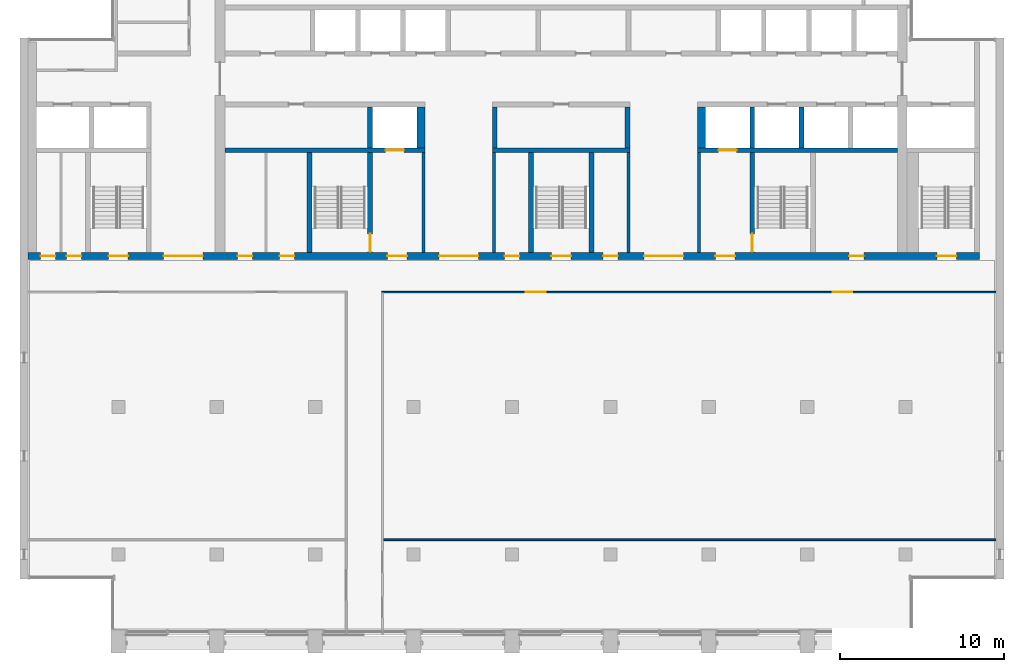
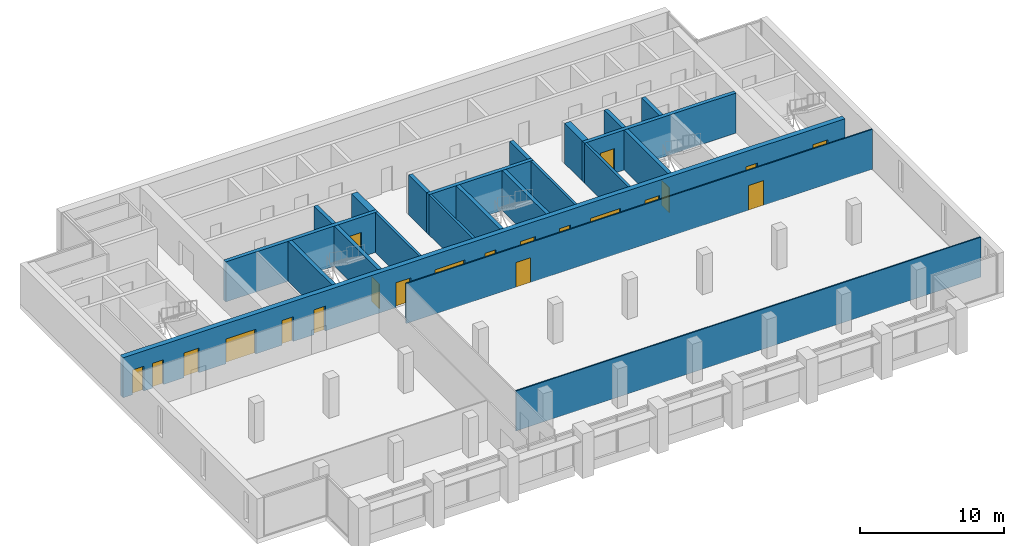
# One storey, part 8 of 14: 22 walls, 21 doors, 21 openings.
"""IFC4 building model written with IfcOpenShell, lengths in metres."""

from ifc_helpers import new_model, si_unit, direction, frame, frame_2d, origin, place, context, subcontext, project, spatial, rectangle, extrude, material, layer, layer_set, type_object, element, fill, save


model = new_model("IFC4")

# Units and contexts
model_context = context("Model", 3, precision=1e-05, world=origin(), true_north=direction((0.0, 1.0)))
body_context = subcontext(model_context, "Body", "Model", "MODEL_VIEW")
ifc_project = project(units=[si_unit("LENGTHUNIT", "METRE"), si_unit("AREAUNIT", "SQUARE_METRE"), si_unit("VOLUMEUNIT", "CUBIC_METRE"), si_unit("PLANEANGLEUNIT", "RADIAN"), si_unit("MASSUNIT", "GRAM", prefix="KILO")], contexts=[model_context])

# Site, building, storey
site_placement = place(None, origin())
site = spatial("IfcSite", under=ifc_project, at=site_placement, CompositionType="ELEMENT")
building_placement = place(site_placement, origin())
building = spatial("IfcBuilding", under=site, at=building_placement, Name="Calvaro Tower", CompositionType="ELEMENT")
storey_placement = place(building_placement, frame((0.0, 0.0, 258.35009765625)))
storey = spatial("IfcBuildingStorey", under=building, at=storey_placement, Name="L65", CompositionType="ELEMENT", Elevation=258.35009765625)

# Walls
ifc_material_1 = material(Name="Blockwork partition", Category="masonry")
ifc_layer_1 = layer(ifc_material_1, 0.199951171875)
ifc_layer_set_1 = layer_set([ifc_layer_1], Name="Blockwork partition")
wall_type_1 = type_object("IfcWallType", Name="Core partition 200 REI 120", PredefinedType="PARTITIONING", material=ifc_layer_set_1)
for number, where, z_axis, x_axis, name in (
    (1, (30.60009765625, 28.39990234375, 0.0), (0.0, 0.0, 1.0), (0.0, 1.0, 0.0), "Core partition"),
    (2, (34.89990234375, 28.39990234375, 0.0), (0.0, 0.0, 1.0), (0.0, 1.0, 0.0), "Core partition"),
    (3, (43.10009765625, 28.39990234375, 0.0), (0.0, 0.0, 1.0), (0.0, 1.0, 0.0), "Core partition"),
    (4, (47.39990234375, 28.39990234375, 0.0), (0.0, 0.0, 1.0), (0.0, 1.0, 0.0), "Core partition"),
):
    element("IfcWall", number, at=place(storey_placement, frame(where, z_axis=z_axis, x_axis=x_axis)), inside=storey, type_object=wall_type_1, Name=name, PredefinedType="PARTITIONING", context=body_context, shape_type="SweptSolid", body=[
        extrude(rectangle(XDim=6.10009765625, YDim=0.199951171875, at=frame_2d((3.050048828125, 0.0))), origin(), (0.0, 0.0, 1.0), 3.39990234375),
    ])
ifc_material_2 = material(Name="Concrete C40/50", Category="concrete")
ifc_layer_2 = layer(ifc_material_2, 0.300048828125)
ifc_layer_set_2 = layer_set([ifc_layer_2], Name="Concrete C40/50")
wall_type_2 = type_object("IfcWallType", Name="Core wall C40/50 300", PredefinedType="SHEAR", material=ifc_layer_set_2)
wall_1_placement = place(storey_placement, frame((23.64990234375, 28.39990234375, 0.0), z_axis=(0.0, 0.0, 1.0), x_axis=(0.0, 1.0, 0.0)))
element("IfcWall", 5, at=wall_1_placement, inside=storey, type_object=wall_type_2, Name="Core wall, stair enclosure", PredefinedType="SHEAR", context=body_context, shape_type="SweptSolid", body=[
    extrude(rectangle(XDim=6.10009765625, YDim=0.300048828125, at=frame_2d((3.050048828125, 0.0))), origin(), (0.0, 0.0, 1.0), 3.39990234375),
])

# Wall, opening, door
wall_2_placement = place(storey_placement, frame((27.35009765625, 28.39990234375, 0.0), z_axis=(0.0, 0.0, 1.0), x_axis=(0.0, 1.0, 0.0)))
wall_2 = element("IfcWall", 6, at=wall_2_placement, inside=storey, type_object=wall_type_2, Name="Core wall, stair enclosure", PredefinedType="SHEAR", context=body_context, shape_type="SweptSolid", body=[
    extrude(rectangle(XDim=6.10009765625, YDim=0.300048828125, at=frame_2d((3.050048828125, 0.0))), origin(), (0.0, 0.0, 1.0), 3.39990234375),
])
opening_1_placement = place(wall_2_placement, frame((0.050048828125, 0.0, 0.0)))
opening_1 = element("IfcOpeningElement", 7, at=opening_1_placement, cuts=wall_2, Name="Opening FD11D", PredefinedType="OPENING", context=body_context, shape_type="SweptSolid", body=[
    extrude(rectangle(XDim=1.10009765625, YDim=2.10009765625, at=frame_2d((0.550048828125, 1.050048828125))), frame((0.0, 0.159912109375, 0.0), z_axis=(0.0, -1.0, 0.0), x_axis=(1.0, 0.0, 0.0)), (0.0, 0.0, 1.0), 0.320068359375),
])
ifc_material_3 = material(Name="Steel door set", Category="steel")
door_type_1 = type_object("IfcDoorType", Name="Fire door 1100 FD30S", OperationType="SINGLE_SWING_LEFT", PredefinedType="DOOR", material=ifc_material_3)
door_1_placement = place(opening_1_placement, origin())
door_1 = element("IfcDoor", 8, at=door_1_placement, inside=storey, type_object=door_type_1, Name="Fire door", OperationType="SINGLE_SWING_LEFT", OverallHeight=2.10009765625, OverallWidth=1.10009765625, PredefinedType="DOOR", context=body_context, shape_type="SweptSolid", body=[
    extrude(rectangle(XDim=1.10009765625, YDim=2.10009765625, at=frame_2d((0.550048828125, 1.050048828125))), frame((0.0, 0.02490234375, 0.0), z_axis=(0.0, -1.0, 0.0), x_axis=(1.0, 0.0, 0.0)), (0.0, 0.0, 1.0), 0.050048828125),
])
fill(opening_1, door_1)

# Walls
for number, where, z_axis, x_axis, name in (
    (9, (37.14990234375, 28.39990234375, 0.0), (0.0, 0.0, 1.0), (0.0, 1.0, 0.0), "Core wall, stair enclosure"),
    (10, (40.85009765625, 28.39990234375, 0.0), (0.0, 0.0, 1.0), (0.0, 1.0, 0.0), "Core wall, stair enclosure"),
):
    element("IfcWall", number, at=place(storey_placement, frame(where, z_axis=z_axis, x_axis=x_axis)), inside=storey, type_object=wall_type_2, Name=name, PredefinedType="SHEAR", context=body_context, shape_type="SweptSolid", body=[
        extrude(rectangle(XDim=6.10009765625, YDim=0.300048828125, at=frame_2d((3.050048828125, 0.0))), origin(), (0.0, 0.0, 1.0), 3.39990234375),
    ])

# Wall, opening, door
wall_3_placement = place(storey_placement, frame((50.64990234375, 34.5, 0.0), z_axis=(0.0, 0.0, 1.0), x_axis=(0.0, -1.0, 0.0)))
wall_3 = element("IfcWall", 11, at=wall_3_placement, inside=storey, type_object=wall_type_2, Name="Core wall, stair enclosure", PredefinedType="SHEAR", context=body_context, shape_type="SweptSolid", body=[
    extrude(rectangle(XDim=6.10009765625, YDim=0.300048828125, at=frame_2d((3.050048828125, 0.0))), origin(), (0.0, 0.0, 1.0), 3.39990234375),
])
opening_2_placement = place(wall_3_placement, frame((4.949951171875, 0.0, 0.0)))
opening_2 = element("IfcOpeningElement", 12, at=opening_2_placement, cuts=wall_3, Name="Opening FD11D", PredefinedType="OPENING", context=body_context, shape_type="SweptSolid", body=[
    extrude(rectangle(XDim=1.10009765625, YDim=2.10009765625, at=frame_2d((0.550048828125, 1.050048828125))), frame((0.0, 0.159912109375, 0.0), z_axis=(0.0, -1.0, 0.0), x_axis=(1.0, 0.0, 0.0)), (0.0, 0.0, 1.0), 0.320068359375),
])
door_2_placement = place(opening_2_placement, origin())
door_2 = element("IfcDoor", 13, at=door_2_placement, inside=storey, type_object=door_type_1, Name="Fire door", OperationType="SINGLE_SWING_RIGHT", OverallHeight=2.10009765625, OverallWidth=1.10009765625, PredefinedType="DOOR", context=body_context, shape_type="SweptSolid", body=[
    extrude(rectangle(XDim=1.10009765625, YDim=2.10009765625, at=frame_2d((0.550048828125, 1.050048828125))), frame((0.0, 0.02490234375, 0.0), z_axis=(0.0, -1.0, 0.0), x_axis=(1.0, 0.0, 0.0)), (0.0, 0.0, 1.0), 0.050048828125),
])
fill(opening_2, door_2)

wall_4_placement = place(storey_placement, frame((18.5, 34.64990234375, 0.0), z_axis=(0.0, 0.0, 1.0), x_axis=(1.0, 0.0, 0.0)))
wall_4 = element("IfcWall", 14, at=wall_4_placement, inside=storey, type_object=wall_type_2, Name="Core wall, lift shaft", PredefinedType="SHEAR", context=body_context, shape_type="SweptSolid", body=[
    extrude(rectangle(XDim=12.199951171875, YDim=0.300048828125, at=frame_2d((6.10009765625, 0.0))), origin(), (0.0, 0.0, 1.0), 3.39990234375),
])
opening_3_placement = place(wall_4_placement, frame((9.800048828125, 0.0, 0.0)))
opening_3 = element("IfcOpeningElement", 15, at=opening_3_placement, cuts=wall_4, Name="Opening FF1", PredefinedType="OPENING", context=body_context, shape_type="SweptSolid", body=[
    extrude(rectangle(XDim=1.10009765625, YDim=2.10009765625, at=frame_2d((0.550048828125, 1.050048828125))), frame((0.0, 0.159912109375, 0.0), z_axis=(0.0, -1.0, 0.0), x_axis=(1.0, 0.0, 0.0)), (0.0, 0.0, 1.0), 0.320068359375),
])
ifc_material_4 = material(Name="Stainless steel", Category="steel")
door_type_2 = type_object("IfcDoorType", Name="Landing door 1100 E 60", OperationType="SLIDING_TO_LEFT", PredefinedType="DOOR", material=ifc_material_4)
door_3_placement = place(opening_3_placement, origin())
door_3 = element("IfcDoor", 16, at=door_3_placement, inside=storey, type_object=door_type_2, Name="Landing door FF1", OperationType="SLIDING_TO_LEFT", OverallHeight=2.10009765625, OverallWidth=1.10009765625, PredefinedType="DOOR", context=body_context, shape_type="SweptSolid", body=[
    extrude(rectangle(XDim=1.10009765625, YDim=2.10009765625, at=frame_2d((0.550048828125, 1.050048828125))), frame((0.0, 0.02490234375, 0.0), z_axis=(0.0, -1.0, 0.0), x_axis=(1.0, 0.0, 0.0)), (0.0, 0.0, 1.0), 0.050048828125),
])
fill(opening_3, door_3)

# Wall
wall_5_placement = place(storey_placement, frame((34.800048828125, 34.64990234375, 0.0), z_axis=(0.0, 0.0, 1.0), x_axis=(1.0, 0.0, 0.0)))
element("IfcWall", 17, at=wall_5_placement, inside=storey, type_object=wall_type_2, Name="Core wall, lift shaft", PredefinedType="SHEAR", context=body_context, shape_type="SweptSolid", body=[
    extrude(rectangle(XDim=8.39990234375, YDim=0.300048828125, at=frame_2d((4.199951171875, 0.0))), origin(), (0.0, 0.0, 1.0), 3.39990234375),
])

# Wall, opening, door
wall_6_placement = place(storey_placement, frame((47.300048828125, 34.64990234375, 0.0), z_axis=(0.0, 0.0, 1.0), x_axis=(1.0, 0.0, 0.0)))
wall_6 = element("IfcWall", 18, at=wall_6_placement, inside=storey, type_object=wall_type_2, Name="Core wall, lift shaft", PredefinedType="SHEAR", context=body_context, shape_type="SweptSolid", body=[
    extrude(rectangle(XDim=12.199951171875, YDim=0.300048828125, at=frame_2d((6.10009765625, 0.0))), origin(), (0.0, 0.0, 1.0), 3.39990234375),
])
opening_4_placement = place(wall_6_placement, frame((1.300048828125, 0.0, 0.0)))
opening_4 = element("IfcOpeningElement", 19, at=opening_4_placement, cuts=wall_6, Name="Opening FF2", PredefinedType="OPENING", context=body_context, shape_type="SweptSolid", body=[
    extrude(rectangle(XDim=1.10009765625, YDim=2.10009765625, at=frame_2d((0.550048828125, 1.050048828125))), frame((0.0, 0.159912109375, 0.0), z_axis=(0.0, -1.0, 0.0), x_axis=(1.0, 0.0, 0.0)), (0.0, 0.0, 1.0), 0.320068359375),
])
door_4_placement = place(opening_4_placement, origin())
door_4 = element("IfcDoor", 20, at=door_4_placement, inside=storey, type_object=door_type_2, Name="Landing door FF2", OperationType="SLIDING_TO_LEFT", OverallHeight=2.10009765625, OverallWidth=1.10009765625, PredefinedType="DOOR", context=body_context, shape_type="SweptSolid", body=[
    extrude(rectangle(XDim=1.10009765625, YDim=2.10009765625, at=frame_2d((0.550048828125, 1.050048828125))), frame((0.0, 0.02490234375, 0.0), z_axis=(0.0, -1.0, 0.0), x_axis=(1.0, 0.0, 0.0)), (0.0, 0.0, 1.0), 0.050048828125),
])
fill(opening_4, door_4)

# Walls
for number, where, z_axis, x_axis, name in (
    (21, (27.35009765625, 34.800048828125, 0.0), (0.0, 0.0, 1.0), (0.0, 1.0, 0.0), "Core wall, lift shaft"),
    (22, (34.949951171875, 34.800048828125, 0.0), (0.0, 0.0, 1.0), (0.0, 1.0, 0.0), "Core wall, lift shaft"),
    (23, (43.050048828125, 34.800048828125, 0.0), (0.0, 0.0, 1.0), (0.0, 1.0, 0.0), "Core wall, lift shaft"),
    (24, (50.64990234375, 34.800048828125, 0.0), (0.0, 0.0, 1.0), (0.0, 1.0, 0.0), "Core wall, lift shaft"),
    (25, (53.64990234375, 34.800048828125, 0.0), (0.0, 0.0, 1.0), (0.0, 1.0, 0.0), "Core wall, lift shaft"),
):
    element("IfcWall", number, at=place(storey_placement, frame(where, z_axis=z_axis, x_axis=x_axis)), inside=storey, type_object=wall_type_2, Name=name, PredefinedType="SHEAR", context=body_context, shape_type="SweptSolid", body=[
        extrude(rectangle(XDim=2.5, YDim=0.300048828125, at=frame_2d((1.25, 0.0))), origin(), (0.0, 0.0, 1.0), 3.39990234375),
    ])

# Wall, openings, doors
ifc_material_5 = material(Name="Concrete C40/50", Category="concrete")
ifc_layer_3 = layer(ifc_material_5, 0.39990234375)
ifc_layer_set_3 = layer_set([ifc_layer_3], Name="Concrete C40/50")
wall_type_3 = type_object("IfcWallType", Name="Core wall C40/50 400", PredefinedType="SHEAR", material=ifc_layer_set_3)
wall_7_placement = place(storey_placement, frame((6.5, 28.199951171875, 0.0), z_axis=(0.0, 0.0, 1.0), x_axis=(1.0, 0.0, 0.0)))
wall_7 = element("IfcWall", 26, at=wall_7_placement, inside=storey, type_object=wall_type_3, Name="Core wall, front", PredefinedType="SHEAR", context=body_context, shape_type="SweptSolid", body=[
    extrude(rectangle(XDim=58.0, YDim=0.39990234375, at=frame_2d((29.0, 0.0))), origin(), (0.0, 0.0, 1.0), 3.39990234375),
])
opening_5_placement = place(wall_7_placement, frame((12.762451171875, 0.0, 0.0)))
opening_5 = element("IfcOpeningElement", 27, at=opening_5_placement, cuts=wall_7, Name="Opening RD9E", PredefinedType="OPENING", context=body_context, shape_type="SweptSolid", body=[
    extrude(rectangle(XDim=0.89990234375, YDim=2.10009765625, at=frame_2d((0.449951171875, 1.050048828125))), frame((0.0, 0.2099609375, 0.0), z_axis=(0.0, -1.0, 0.0), x_axis=(1.0, 0.0, 0.0)), (0.0, 0.0, 1.0), 0.419921875),
])
opening_6_placement = place(wall_7_placement, frame((15.33740234375, 0.0, 0.0)))
opening_6 = element("IfcOpeningElement", 28, at=opening_6_placement, cuts=wall_7, Name="Opening RD9C", PredefinedType="OPENING", context=body_context, shape_type="SweptSolid", body=[
    extrude(rectangle(XDim=0.89990234375, YDim=2.10009765625, at=frame_2d((0.449951171875, 1.050048828125))), frame((0.0, 0.2099609375, 0.0), z_axis=(0.0, -1.0, 0.0), x_axis=(1.0, 0.0, 0.0)), (0.0, 0.0, 1.0), 0.419921875),
])
opening_7_placement = place(wall_7_placement, frame((50.050048828125, 0.0, 0.0)))
opening_7 = element("IfcOpeningElement", 29, at=opening_7_placement, cuts=wall_7, Name="Opening RD9E", PredefinedType="OPENING", context=body_context, shape_type="SweptSolid", body=[
    extrude(rectangle(XDim=0.89990234375, YDim=2.10009765625, at=frame_2d((0.449951171875, 1.050048828125))), frame((0.0, 0.2099609375, 0.0), z_axis=(0.0, -1.0, 0.0), x_axis=(1.0, 0.0, 0.0)), (0.0, 0.0, 1.0), 0.419921875),
])
opening_8_placement = place(wall_7_placement, frame((0.762451171875, 0.0, 0.0)))
opening_8 = element("IfcOpeningElement", 30, at=opening_8_placement, cuts=wall_7, Name="Opening RD9C", PredefinedType="OPENING", context=body_context, shape_type="SweptSolid", body=[
    extrude(rectangle(XDim=0.89990234375, YDim=2.10009765625, at=frame_2d((0.449951171875, 1.050048828125))), frame((0.0, 0.2099609375, 0.0), z_axis=(0.0, -1.0, 0.0), x_axis=(1.0, 0.0, 0.0)), (0.0, 0.0, 1.0), 0.419921875),
])
opening_9_placement = place(wall_7_placement, frame((2.33740234375, 0.0, 0.0)))
opening_9 = element("IfcOpeningElement", 31, at=opening_9_placement, cuts=wall_7, Name="Opening RD9E", PredefinedType="OPENING", context=body_context, shape_type="SweptSolid", body=[
    extrude(rectangle(XDim=0.89990234375, YDim=2.10009765625, at=frame_2d((0.449951171875, 1.050048828125))), frame((0.0, 0.2099609375, 0.0), z_axis=(0.0, -1.0, 0.0), x_axis=(1.0, 0.0, 0.0)), (0.0, 0.0, 1.0), 0.419921875),
])
opening_10_placement = place(wall_7_placement, frame((4.89990234375, 0.0, 0.0)))
opening_10 = element("IfcOpeningElement", 32, at=opening_10_placement, cuts=wall_7, Name="Opening SD12D", PredefinedType="OPENING", context=body_context, shape_type="SweptSolid", body=[
    extrude(rectangle(XDim=1.199951171875, YDim=2.10009765625, at=frame_2d((0.60009765625, 1.050048828125))), frame((0.0, 0.2099609375, 0.0), z_axis=(0.0, -1.0, 0.0), x_axis=(1.0, 0.0, 0.0)), (0.0, 0.0, 1.0), 0.419921875),
])
opening_11_placement = place(wall_7_placement, frame((31.89990234375, 0.0, 0.0)))
opening_11 = element("IfcOpeningElement", 33, at=opening_11_placement, cuts=wall_7, Name="Opening SD12D", PredefinedType="OPENING", context=body_context, shape_type="SweptSolid", body=[
    extrude(rectangle(XDim=1.199951171875, YDim=2.10009765625, at=frame_2d((0.60009765625, 1.050048828125))), frame((0.0, 0.2099609375, 0.0), z_axis=(0.0, -1.0, 0.0), x_axis=(1.0, 0.0, 0.0)), (0.0, 0.0, 1.0), 0.419921875),
])
opening_12_placement = place(wall_7_placement, frame((55.39990234375, 0.0, 0.0)))
opening_12 = element("IfcOpeningElement", 34, at=opening_12_placement, cuts=wall_7, Name="Opening SD12D", PredefinedType="OPENING", context=body_context, shape_type="SweptSolid", body=[
    extrude(rectangle(XDim=1.199951171875, YDim=2.10009765625, at=frame_2d((0.60009765625, 1.050048828125))), frame((0.0, 0.2099609375, 0.0), z_axis=(0.0, -1.0, 0.0), x_axis=(1.0, 0.0, 0.0)), (0.0, 0.0, 1.0), 0.419921875),
])
opening_13_placement = place(wall_7_placement, frame((21.89990234375, 0.0, 0.0)))
opening_13 = element("IfcOpeningElement", 35, at=opening_13_placement, cuts=wall_7, Name="Opening FD12F", PredefinedType="OPENING", context=body_context, shape_type="SweptSolid", body=[
    extrude(rectangle(XDim=1.199951171875, YDim=2.10009765625, at=frame_2d((0.60009765625, 1.050048828125))), frame((0.0, 0.2099609375, 0.0), z_axis=(0.0, -1.0, 0.0), x_axis=(1.0, 0.0, 0.0)), (0.0, 0.0, 1.0), 0.419921875),
])
opening_14_placement = place(wall_7_placement, frame((41.89990234375, 0.0, 0.0)))
opening_14 = element("IfcOpeningElement", 36, at=opening_14_placement, cuts=wall_7, Name="Opening FD12F", PredefinedType="OPENING", context=body_context, shape_type="SweptSolid", body=[
    extrude(rectangle(XDim=1.199951171875, YDim=2.10009765625, at=frame_2d((0.60009765625, 1.050048828125))), frame((0.0, 0.2099609375, 0.0), z_axis=(0.0, -1.0, 0.0), x_axis=(1.0, 0.0, 0.0)), (0.0, 0.0, 1.0), 0.419921875),
])
opening_15_placement = place(wall_7_placement, frame((25.050048828125, 0.0, 0.0)))
opening_15 = element("IfcOpeningElement", 37, at=opening_15_placement, cuts=wall_7, Name="Opening DD24D", PredefinedType="OPENING", context=body_context, shape_type="SweptSolid", body=[
    extrude(rectangle(XDim=2.39990234375, YDim=2.10009765625, at=frame_2d((1.199951171875, 1.050048828125))), frame((0.0, 0.2099609375, 0.0), z_axis=(0.0, -1.0, 0.0), x_axis=(1.0, 0.0, 0.0)), (0.0, 0.0, 1.0), 0.419921875),
])
opening_16_placement = place(wall_7_placement, frame((37.550048828125, 0.0, 0.0)))
opening_16 = element("IfcOpeningElement", 38, at=opening_16_placement, cuts=wall_7, Name="Opening DD24D", PredefinedType="OPENING", context=body_context, shape_type="SweptSolid", body=[
    extrude(rectangle(XDim=2.39990234375, YDim=2.10009765625, at=frame_2d((1.199951171875, 1.050048828125))), frame((0.0, 0.2099609375, 0.0), z_axis=(0.0, -1.0, 0.0), x_axis=(1.0, 0.0, 0.0)), (0.0, 0.0, 1.0), 0.419921875),
])
opening_17_placement = place(wall_7_placement, frame((8.25, 0.0, 0.0)))
opening_17 = element("IfcOpeningElement", 39, at=opening_17_placement, cuts=wall_7, Name="Opening DD24D", PredefinedType="OPENING", context=body_context, shape_type="SweptSolid", body=[
    extrude(rectangle(XDim=2.39990234375, YDim=2.10009765625, at=frame_2d((1.199951171875, 1.050048828125))), frame((0.0, 0.2099609375, 0.0), z_axis=(0.0, -1.0, 0.0), x_axis=(1.0, 0.0, 0.0)), (0.0, 0.0, 1.0), 0.419921875),
])
opening_18_placement = place(wall_7_placement, frame((29.050048828125, 0.0, 0.0)))
opening_18 = element("IfcOpeningElement", 40, at=opening_18_placement, cuts=wall_7, Name="Opening RD9E", PredefinedType="OPENING", context=body_context, shape_type="SweptSolid", body=[
    extrude(rectangle(XDim=0.89990234375, YDim=2.10009765625, at=frame_2d((0.449951171875, 1.050048828125))), frame((0.0, 0.2099609375, 0.0), z_axis=(0.0, -1.0, 0.0), x_axis=(1.0, 0.0, 0.0)), (0.0, 0.0, 1.0), 0.419921875),
])
opening_19_placement = place(wall_7_placement, frame((35.050048828125, 0.0, 0.0)))
opening_19 = element("IfcOpeningElement", 41, at=opening_19_placement, cuts=wall_7, Name="Opening RD9E", PredefinedType="OPENING", context=body_context, shape_type="SweptSolid", body=[
    extrude(rectangle(XDim=0.89990234375, YDim=2.10009765625, at=frame_2d((0.449951171875, 1.050048828125))), frame((0.0, 0.2099609375, 0.0), z_axis=(0.0, -1.0, 0.0), x_axis=(1.0, 0.0, 0.0)), (0.0, 0.0, 1.0), 0.419921875),
])
ifc_material_6 = material(Name="Steel door set", Category="steel")
door_type_3 = type_object("IfcDoorType", Name="Fire door 1200 FD60S", OperationType="SINGLE_SWING_LEFT", PredefinedType="DOOR", material=ifc_material_6)
door_5_placement = place(opening_13_placement, origin())
door_5 = element("IfcDoor", 42, at=door_5_placement, inside=storey, type_object=door_type_3, Name="Fire door", OperationType="SINGLE_SWING_LEFT", OverallHeight=2.10009765625, OverallWidth=1.199951171875, PredefinedType="DOOR", context=body_context, shape_type="SweptSolid", body=[
    extrude(rectangle(XDim=1.199951171875, YDim=2.10009765625, at=frame_2d((0.60009765625, 1.050048828125))), frame((0.0, 0.02490234375, 0.0), z_axis=(0.0, -1.0, 0.0), x_axis=(1.0, 0.0, 0.0)), (0.0, 0.0, 1.0), 0.050048828125),
])
fill(opening_13, door_5)
door_6_placement = place(opening_14_placement, origin())
door_6 = element("IfcDoor", 43, at=door_6_placement, inside=storey, type_object=door_type_3, Name="Fire door", OperationType="SINGLE_SWING_LEFT", OverallHeight=2.10009765625, OverallWidth=1.199951171875, PredefinedType="DOOR", context=body_context, shape_type="SweptSolid", body=[
    extrude(rectangle(XDim=1.199951171875, YDim=2.10009765625, at=frame_2d((0.60009765625, 1.050048828125))), frame((0.0, 0.02490234375, 0.0), z_axis=(0.0, -1.0, 0.0), x_axis=(1.0, 0.0, 0.0)), (0.0, 0.0, 1.0), 0.050048828125),
])
fill(opening_14, door_6)
ifc_material_7 = material(Name="Steel door set", Category="steel")
door_type_4 = type_object("IfcDoorType", Name="Lobby double door 2400 FD30S", OperationType="DOUBLE_DOOR_SINGLE_SWING", PredefinedType="DOOR", material=ifc_material_7)
door_7_placement = place(opening_15_placement, origin())
door_7 = element("IfcDoor", 44, at=door_7_placement, inside=storey, type_object=door_type_4, Name="Lobby double door", OperationType="DOUBLE_DOOR_SINGLE_SWING", OverallHeight=2.10009765625, OverallWidth=2.39990234375, PredefinedType="DOOR", context=body_context, shape_type="SweptSolid", body=[
    extrude(rectangle(XDim=2.39990234375, YDim=2.10009765625, at=frame_2d((1.199951171875, 1.050048828125))), frame((0.0, 0.02490234375, 0.0), z_axis=(0.0, -1.0, 0.0), x_axis=(1.0, 0.0, 0.0)), (0.0, 0.0, 1.0), 0.050048828125),
])
fill(opening_15, door_7)
door_8_placement = place(opening_16_placement, origin())
door_8 = element("IfcDoor", 45, at=door_8_placement, inside=storey, type_object=door_type_4, Name="Lobby double door", OperationType="DOUBLE_DOOR_SINGLE_SWING", OverallHeight=2.10009765625, OverallWidth=2.39990234375, PredefinedType="DOOR", context=body_context, shape_type="SweptSolid", body=[
    extrude(rectangle(XDim=2.39990234375, YDim=2.10009765625, at=frame_2d((1.199951171875, 1.050048828125))), frame((0.0, 0.02490234375, 0.0), z_axis=(0.0, -1.0, 0.0), x_axis=(1.0, 0.0, 0.0)), (0.0, 0.0, 1.0), 0.050048828125),
])
fill(opening_16, door_8)
door_9_placement = place(opening_17_placement, origin())
door_9 = element("IfcDoor", 46, at=door_9_placement, inside=storey, type_object=door_type_4, Name="Lobby double door", OperationType="DOUBLE_DOOR_SINGLE_SWING", OverallHeight=2.10009765625, OverallWidth=2.39990234375, PredefinedType="DOOR", context=body_context, shape_type="SweptSolid", body=[
    extrude(rectangle(XDim=2.39990234375, YDim=2.10009765625, at=frame_2d((1.199951171875, 1.050048828125))), frame((0.0, 0.02490234375, 0.0), z_axis=(0.0, -1.0, 0.0), x_axis=(1.0, 0.0, 0.0)), (0.0, 0.0, 1.0), 0.050048828125),
])
fill(opening_17, door_9)
ifc_material_8 = material(Name="Steel door set", Category="steel")
door_type_5 = type_object("IfcDoorType", Name="Room door 900 FD30", OperationType="SINGLE_SWING_LEFT", PredefinedType="DOOR", material=ifc_material_8)
door_10_placement = place(opening_6_placement, origin())
door_10 = element("IfcDoor", 47, at=door_10_placement, inside=storey, type_object=door_type_5, Name="Room door", OperationType="SINGLE_SWING_RIGHT", OverallHeight=2.10009765625, OverallWidth=0.89990234375, PredefinedType="DOOR", context=body_context, shape_type="SweptSolid", body=[
    extrude(rectangle(XDim=0.89990234375, YDim=2.10009765625, at=frame_2d((0.449951171875, 1.050048828125))), frame((0.0, 0.02490234375, 0.0), z_axis=(0.0, -1.0, 0.0), x_axis=(1.0, 0.0, 0.0)), (0.0, 0.0, 1.0), 0.050048828125),
])
fill(opening_6, door_10)
door_11_placement = place(opening_8_placement, origin())
door_11 = element("IfcDoor", 48, at=door_11_placement, inside=storey, type_object=door_type_5, Name="Room door", OperationType="SINGLE_SWING_LEFT", OverallHeight=2.10009765625, OverallWidth=0.89990234375, PredefinedType="DOOR", context=body_context, shape_type="SweptSolid", body=[
    extrude(rectangle(XDim=0.89990234375, YDim=2.10009765625, at=frame_2d((0.449951171875, 1.050048828125))), frame((0.0, 0.02490234375, 0.0), z_axis=(0.0, -1.0, 0.0), x_axis=(1.0, 0.0, 0.0)), (0.0, 0.0, 1.0), 0.050048828125),
])
fill(opening_8, door_11)
ifc_material_9 = material(Name="Steel door set", Category="steel")
door_type_6 = type_object("IfcDoorType", Name="Room door 900 FD60", OperationType="SINGLE_SWING_LEFT", PredefinedType="DOOR", material=ifc_material_9)
door_12_placement = place(opening_5_placement, origin())
door_12 = element("IfcDoor", 49, at=door_12_placement, inside=storey, type_object=door_type_6, Name="Room door", OperationType="SINGLE_SWING_LEFT", OverallHeight=2.10009765625, OverallWidth=0.89990234375, PredefinedType="DOOR", context=body_context, shape_type="SweptSolid", body=[
    extrude(rectangle(XDim=0.89990234375, YDim=2.10009765625, at=frame_2d((0.449951171875, 1.050048828125))), frame((0.0, 0.02490234375, 0.0), z_axis=(0.0, -1.0, 0.0), x_axis=(1.0, 0.0, 0.0)), (0.0, 0.0, 1.0), 0.050048828125),
])
fill(opening_5, door_12)
door_13_placement = place(opening_7_placement, origin())
door_13 = element("IfcDoor", 50, at=door_13_placement, inside=storey, type_object=door_type_6, Name="Room door", OperationType="SINGLE_SWING_LEFT", OverallHeight=2.10009765625, OverallWidth=0.89990234375, PredefinedType="DOOR", context=body_context, shape_type="SweptSolid", body=[
    extrude(rectangle(XDim=0.89990234375, YDim=2.10009765625, at=frame_2d((0.449951171875, 1.050048828125))), frame((0.0, 0.02490234375, 0.0), z_axis=(0.0, -1.0, 0.0), x_axis=(1.0, 0.0, 0.0)), (0.0, 0.0, 1.0), 0.050048828125),
])
fill(opening_7, door_13)
door_14_placement = place(opening_9_placement, origin())
door_14 = element("IfcDoor", 51, at=door_14_placement, inside=storey, type_object=door_type_6, Name="Room door", OperationType="SINGLE_SWING_LEFT", OverallHeight=2.10009765625, OverallWidth=0.89990234375, PredefinedType="DOOR", context=body_context, shape_type="SweptSolid", body=[
    extrude(rectangle(XDim=0.89990234375, YDim=2.10009765625, at=frame_2d((0.449951171875, 1.050048828125))), frame((0.0, 0.02490234375, 0.0), z_axis=(0.0, -1.0, 0.0), x_axis=(1.0, 0.0, 0.0)), (0.0, 0.0, 1.0), 0.050048828125),
])
fill(opening_9, door_14)
door_15_placement = place(opening_18_placement, origin())
door_15 = element("IfcDoor", 52, at=door_15_placement, inside=storey, type_object=door_type_6, Name="Room door", OperationType="SINGLE_SWING_LEFT", OverallHeight=2.10009765625, OverallWidth=0.89990234375, PredefinedType="DOOR", context=body_context, shape_type="SweptSolid", body=[
    extrude(rectangle(XDim=0.89990234375, YDim=2.10009765625, at=frame_2d((0.449951171875, 1.050048828125))), frame((0.0, 0.02490234375, 0.0), z_axis=(0.0, -1.0, 0.0), x_axis=(1.0, 0.0, 0.0)), (0.0, 0.0, 1.0), 0.050048828125),
])
fill(opening_18, door_15)
door_16_placement = place(opening_19_placement, origin())
door_16 = element("IfcDoor", 53, at=door_16_placement, inside=storey, type_object=door_type_6, Name="Room door", OperationType="SINGLE_SWING_LEFT", OverallHeight=2.10009765625, OverallWidth=0.89990234375, PredefinedType="DOOR", context=body_context, shape_type="SweptSolid", body=[
    extrude(rectangle(XDim=0.89990234375, YDim=2.10009765625, at=frame_2d((0.449951171875, 1.050048828125))), frame((0.0, 0.02490234375, 0.0), z_axis=(0.0, -1.0, 0.0), x_axis=(1.0, 0.0, 0.0)), (0.0, 0.0, 1.0), 0.050048828125),
])
fill(opening_19, door_16)
ifc_material_10 = material(Name="Steel door set", Category="steel")
door_type_7 = type_object("IfcDoorType", Name="Stair door 1200 FD30S", OperationType="SINGLE_SWING_LEFT", PredefinedType="DOOR", material=ifc_material_10)
door_17_placement = place(opening_10_placement, origin())
door_17 = element("IfcDoor", 54, at=door_17_placement, inside=storey, type_object=door_type_7, Name="Stair door", OperationType="SINGLE_SWING_LEFT", OverallHeight=2.10009765625, OverallWidth=1.199951171875, PredefinedType="DOOR", context=body_context, shape_type="SweptSolid", body=[
    extrude(rectangle(XDim=1.199951171875, YDim=2.10009765625, at=frame_2d((0.60009765625, 1.050048828125))), frame((0.0, 0.02490234375, 0.0), z_axis=(0.0, -1.0, 0.0), x_axis=(1.0, 0.0, 0.0)), (0.0, 0.0, 1.0), 0.050048828125),
])
fill(opening_10, door_17)
door_18_placement = place(opening_11_placement, origin())
door_18 = element("IfcDoor", 55, at=door_18_placement, inside=storey, type_object=door_type_7, Name="Stair door", OperationType="SINGLE_SWING_LEFT", OverallHeight=2.10009765625, OverallWidth=1.199951171875, PredefinedType="DOOR", context=body_context, shape_type="SweptSolid", body=[
    extrude(rectangle(XDim=1.199951171875, YDim=2.10009765625, at=frame_2d((0.60009765625, 1.050048828125))), frame((0.0, 0.02490234375, 0.0), z_axis=(0.0, -1.0, 0.0), x_axis=(1.0, 0.0, 0.0)), (0.0, 0.0, 1.0), 0.050048828125),
])
fill(opening_11, door_18)
door_19_placement = place(opening_12_placement, origin())
door_19 = element("IfcDoor", 56, at=door_19_placement, inside=storey, type_object=door_type_7, Name="Stair door", OperationType="SINGLE_SWING_LEFT", OverallHeight=2.10009765625, OverallWidth=1.199951171875, PredefinedType="DOOR", context=body_context, shape_type="SweptSolid", body=[
    extrude(rectangle(XDim=1.199951171875, YDim=2.10009765625, at=frame_2d((0.60009765625, 1.050048828125))), frame((0.0, 0.02490234375, 0.0), z_axis=(0.0, -1.0, 0.0), x_axis=(1.0, 0.0, 0.0)), (0.0, 0.0, 1.0), 0.050048828125),
])
fill(opening_12, door_19)

# Walls
ifc_material_11 = material(Name="Concrete C40/50", Category="concrete")
ifc_layer_4 = layer(ifc_material_11, 0.5)
ifc_layer_set_4 = layer_set([ifc_layer_4], Name="Concrete C40/50")
wall_type_4 = type_object("IfcWallType", Name="Core wall C40/50 500", PredefinedType="SHEAR", material=ifc_layer_set_4)
for number, where, z_axis, x_axis, name in (
    (57, (30.449951171875, 34.800048828125, 0.0), (0.0, 0.0, 1.0), (0.0, 1.0, 0.0), "Core wall, lift shaft"),
    (58, (47.550048828125, 34.800048828125, 0.0), (0.0, 0.0, 1.0), (0.0, 1.0, 0.0), "Core wall, lift shaft"),
):
    element("IfcWall", number, at=place(storey_placement, frame(where, z_axis=z_axis, x_axis=x_axis)), inside=storey, type_object=wall_type_4, Name=name, PredefinedType="SHEAR", context=body_context, shape_type="SweptSolid", body=[
        extrude(rectangle(XDim=2.5, YDim=0.5, at=frame_2d((1.25, 0.0))), origin(), (0.0, 0.0, 1.0), 3.39990234375),
    ])
ifc_material_12 = material(Name="Plasterboard on steel studs", Category="steel")
ifc_layer_5 = layer(ifc_material_12, 0.10009765625)
ifc_layer_set_5 = layer_set([ifc_layer_5], Name="Plasterboard on steel studs")
wall_type_5 = type_object("IfcWallType", Name="Partition 100", PredefinedType="PARTITIONING", material=ifc_layer_set_5)
wall_8_placement = place(storey_placement, frame((28.14990234375, 10.89990234375, 0.0), z_axis=(0.0, 0.0, 1.0), x_axis=(1.0, 0.0, 0.0)))
element("IfcWall", 59, at=wall_8_placement, inside=storey, type_object=wall_type_5, Name="Partition T37.W002", PredefinedType="PARTITIONING", context=body_context, shape_type="SweptSolid", body=[
    extrude(rectangle(XDim=37.35009765625, YDim=0.10009765625, at=frame_2d((18.675048828125, 0.0))), origin(), (0.0, 0.0, 1.0), 3.39990234375),
])

# Wall, openings, doors
wall_9_placement = place(storey_placement, frame((28.050048828125, 26.0, 0.0), z_axis=(0.0, 0.0, 1.0), x_axis=(1.0, 0.0, 0.0)))
wall_9 = element("IfcWall", 60, at=wall_9_placement, inside=storey, type_object=wall_type_5, Name="Partition T37.W004", PredefinedType="PARTITIONING", context=body_context, shape_type="SweptSolid", body=[
    extrude(rectangle(XDim=37.449951171875, YDim=0.10009765625, at=frame_2d((18.72509765625, 0.0))), origin(), (0.0, 0.0, 1.0), 3.39990234375),
])
opening_20_placement = place(wall_9_placement, frame((8.800048828125, 0.0, 0.0)))
opening_20 = element("IfcOpeningElement", 61, at=opening_20_placement, cuts=wall_9, Name="Opening T37.006", PredefinedType="OPENING", context=body_context, shape_type="SweptSolid", body=[
    extrude(rectangle(XDim=1.199951171875, YDim=2.10009765625, at=frame_2d((0.60009765625, 1.050048828125))), frame((0.0, 0.06005859375, 0.0), z_axis=(0.0, -1.0, 0.0), x_axis=(1.0, 0.0, 0.0)), (0.0, 0.0, 1.0), 0.1201171875),
])
opening_21_placement = place(wall_9_placement, frame((27.5, 0.0, 0.0)))
opening_21 = element("IfcOpeningElement", 62, at=opening_21_placement, cuts=wall_9, Name="Opening T37.007", PredefinedType="OPENING", context=body_context, shape_type="SweptSolid", body=[
    extrude(rectangle(XDim=1.199951171875, YDim=2.10009765625, at=frame_2d((0.60009765625, 1.050048828125))), frame((0.0, 0.06005859375, 0.0), z_axis=(0.0, -1.0, 0.0), x_axis=(1.0, 0.0, 0.0)), (0.0, 0.0, 1.0), 0.1201171875),
])
ifc_material_13 = material(Name="Timber", Category="wood")
door_type_8 = type_object("IfcDoorType", Name="Internal single door 1200 x 2100", OperationType="SINGLE_SWING_LEFT", PredefinedType="DOOR", material=ifc_material_13)
door_20_placement = place(opening_20_placement, origin())
door_20 = element("IfcDoor", 63, at=door_20_placement, inside=storey, type_object=door_type_8, Name="Door T37.006", OperationType="SINGLE_SWING_LEFT", OverallHeight=2.10009765625, OverallWidth=1.199951171875, PredefinedType="DOOR", context=body_context, shape_type="SweptSolid", body=[
    extrude(rectangle(XDim=1.199951171875, YDim=2.10009765625, at=frame_2d((0.60009765625, 1.050048828125))), frame((0.0, 0.02490234375, 0.0), z_axis=(0.0, -1.0, 0.0), x_axis=(1.0, 0.0, 0.0)), (0.0, 0.0, 1.0), 0.050048828125),
])
fill(opening_20, door_20)
door_21_placement = place(opening_21_placement, origin())
door_21 = element("IfcDoor", 64, at=door_21_placement, inside=storey, type_object=door_type_8, Name="Door T37.007", OperationType="SINGLE_SWING_RIGHT", OverallHeight=2.10009765625, OverallWidth=1.199951171875, PredefinedType="DOOR", context=body_context, shape_type="SweptSolid", body=[
    extrude(rectangle(XDim=1.199951171875, YDim=2.10009765625, at=frame_2d((0.60009765625, 1.050048828125))), frame((0.0, 0.02490234375, 0.0), z_axis=(0.0, -1.0, 0.0), x_axis=(1.0, 0.0, 0.0)), (0.0, 0.0, 1.0), 0.050048828125),
])
fill(opening_21, door_21)

save(model, "model.ifc")
